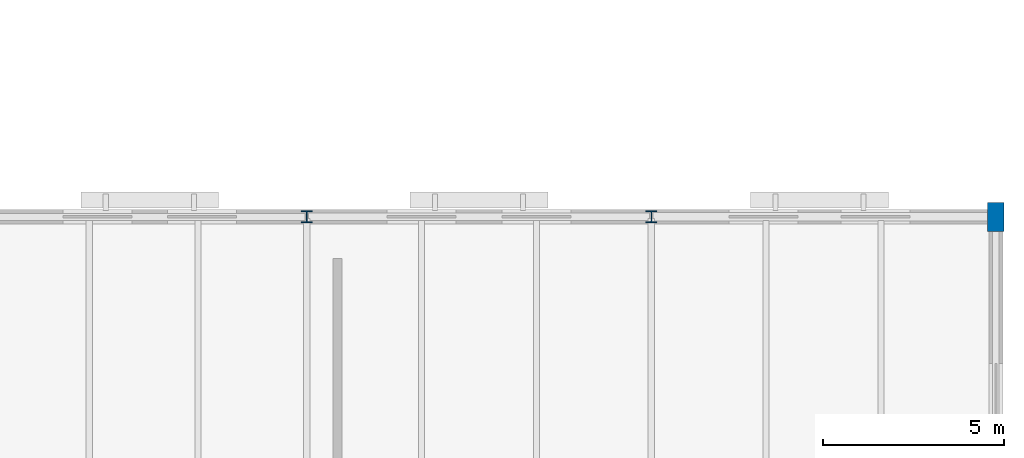
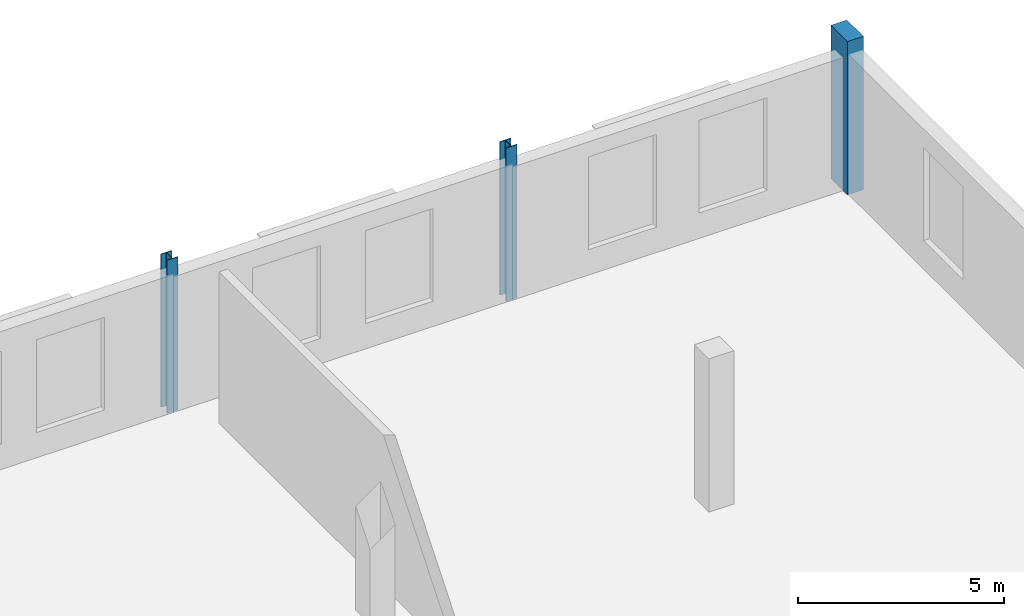
# One storey, part 20 of 93: 3 columns.
"""IFC4 building model written with IfcOpenShell, lengths in metres."""

import ifcopenshell
import ifcopenshell.guid

model = None  # the IFC model being written
_history = None  # IfcOwnerHistory: only IFC2X3 demands one
_inside = {}  # id of a spatial element -> (the spatial element, [elements in it])
_under = {}  # id of a project, library or spatial element -> (it, [spatial elements below it])
_declared = {}  # id of a project -> (the project, [libraries it declares])
_typed = {}  # id of a type object -> (the type object, [elements of that type])
_made_of = {}  # id of a material, layer set ... -> (it, [elements and type objects made of it])


def new_model(schema):
    """Start an empty IFC model of exactly this schema.

    Asked for "IFC4X3", IfcOpenShell would pick the latest addendum, in which some entities
    have other attributes; the version numbers below select the first issue.
    IFC2X3 requires an IfcOwnerHistory on every rooted entity: one is made here for all.
    """
    global model, _history
    if schema == "IFC4X3":
        model = ifcopenshell.file(schema_version=(4, 3, 0, 0))
    else:
        model = ifcopenshell.file(schema=schema)
    _inside.clear()
    _under.clear()
    _declared.clear()
    _typed.clear()
    _made_of.clear()
    _history = None
    if model.schema == "IFC2X3":
        org = make("IfcOrganization", Name="unknown")
        user = make(
            "IfcPersonAndOrganization",
            ThePerson=make("IfcPerson", FamilyName="unknown"),
            TheOrganization=org,
        )
        app = make(
            "IfcApplication",
            ApplicationDeveloper=org,
            Version="unknown",
            ApplicationFullName="unknown",
            ApplicationIdentifier="unknown",
        )
        _history = make(
            "IfcOwnerHistory",
            OwningUser=user,
            OwningApplication=app,
            ChangeAction="ADDED",
            CreationDate=0,
        )
    return model


def make(cls, **values):
    """One entity of the class cls with the attributes given. An attribute that is None is left unset."""
    return model.create_entity(
        cls, **{name: value for name, value in values.items() if value is not None}
    )


def rooted(cls, **values):
    """An entity with a GlobalId (a new one), such as an element, a storey or a relation."""
    return make(cls, GlobalId=ifcopenshell.guid.new(), OwnerHistory=_history, **values)


def si_unit(unit_type, name, prefix=None):
    """IfcSIUnit, for example si_unit("LENGTHUNIT", "METRE", prefix="MILLI")."""
    return make("IfcSIUnit", UnitType=unit_type, Prefix=prefix, Name=name)


def assignment(units):
    """IfcUnitAssignment: the units of a project."""
    return None if units is None else make("IfcUnitAssignment", Units=units)


def point(xyz):
    """IfcCartesianPoint."""
    return None if xyz is None else make("IfcCartesianPoint", Coordinates=xyz)


def direction(xyz):
    """IfcDirection."""
    return None if xyz is None else make("IfcDirection", DirectionRatios=xyz)


def frame(location, z_axis=None, x_axis=None):
    """IfcAxis2Placement3D, a coordinate frame: its origin and axes. An axis left out is left unset."""
    return make(
        "IfcAxis2Placement3D",
        Location=point(location),
        Axis=direction(z_axis),
        RefDirection=direction(x_axis),
    )


def frame_2d(location, x_axis=None):
    """IfcAxis2Placement2D, a coordinate frame in the plane: its origin and x axis."""
    return make(
        "IfcAxis2Placement2D", Location=point(location), RefDirection=direction(x_axis)
    )


def origin():
    """The frame at (0, 0, 0) with its axes left unset."""
    return frame((0.0, 0.0, 0.0))


def origin_2d():
    """The frame at (0, 0) in the plane with its x axis left unset."""
    return frame_2d((0.0, 0.0))


def place(relative_to, where):
    """IfcLocalPlacement: puts the frame where relative to a parent placement (None: the world)."""
    return make(
        "IfcLocalPlacement", PlacementRelTo=relative_to, RelativePlacement=where
    )


def context(
    kind, dimensions, precision=None, world=None, true_north=None, identifier=None
):
    """IfcGeometricRepresentationContext, for example the 3D "Model" context."""
    return make(
        "IfcGeometricRepresentationContext",
        ContextIdentifier=identifier,
        ContextType=kind,
        CoordinateSpaceDimension=dimensions,
        Precision=precision,
        WorldCoordinateSystem=world,
        TrueNorth=true_north,
    )


def subcontext(parent, identifier, kind, view, scale=None):
    """IfcGeometricRepresentationSubContext, for example "Body" below "Model"."""
    return make(
        "IfcGeometricRepresentationSubContext",
        ContextIdentifier=identifier,
        ContextType=kind,
        ParentContext=parent,
        TargetScale=scale,
        TargetView=view,
    )


def project(units=None, contexts=None):
    """IfcProject with its units and contexts."""
    return rooted(
        "IfcProject",
        Name="project",
        RepresentationContexts=contexts,
        UnitsInContext=assignment(units),
    )


def spatial(cls, under=None, at=None, **own):
    """A site, building, storey or space (cls), placed at a placement, below another one or the project."""
    s = rooted(cls, ObjectPlacement=at, **own)
    if under is not None:
        _under.setdefault(under.id(), (under, []))[1].append(s)
    return s


def profile(cls, at=None, kind="AREA", **sizes):
    """A parametric profile (cls). Its sizes go by their IFC names, for example OverallWidth=200.0."""
    return make(cls, ProfileType=kind, Position=at, **sizes)


def rectangle(**sizes):
    """IfcRectangleProfileDef."""
    return profile("IfcRectangleProfileDef", **sizes)


def i_section(**sizes):
    """IfcIShapeProfileDef."""
    return profile("IfcIShapeProfileDef", **sizes)


def extrude(swept, where, along, depth):
    """IfcExtrudedAreaSolid: the profile swept, set in the frame where, extruded along a direction by depth."""
    return make(
        "IfcExtrudedAreaSolid",
        SweptArea=swept,
        Position=where,
        ExtrudedDirection=direction(along),
        Depth=depth,
    )


def shape(context_of_items, identifier, shape_type, items):
    """IfcShapeRepresentation: the items that make up one representation, for example the "Body"."""
    return make(
        "IfcShapeRepresentation",
        ContextOfItems=context_of_items,
        RepresentationIdentifier=identifier,
        RepresentationType=shape_type,
        Items=items,
    )


def material(Name=None, Category=None):
    """IfcMaterial."""
    return make("IfcMaterial", Name=Name, Category=Category)


def material_profile(
    of_material, cross_section, Name=None, Category=None, Priority=None
):
    """IfcMaterialProfile: a cross section and its material."""
    return make(
        "IfcMaterialProfile",
        Name=Name,
        Material=of_material,
        Profile=cross_section,
        Priority=Priority,
        Category=Category,
    )


def profile_set(profiles, Name=None, composite=None):
    """IfcMaterialProfileSet."""
    return make(
        "IfcMaterialProfileSet",
        Name=Name,
        MaterialProfiles=profiles,
        CompositeProfile=composite,
    )


def made_of(thing, what):
    """Note that an element or type object is made of a material, layer set ...; save() writes the relation."""
    if what is not None:
        _made_of.setdefault(what.id(), (what, []))[1].append(thing)
    return thing


def type_object(cls, material=None, **own):
    """A type object (cls), such as IfcWallType, which elements share."""
    return made_of(rooted(cls, **own), material)


def element(
    cls,
    number,
    at=None,
    inside=None,
    cuts=None,
    type_object=None,
    material=None,
    context=None,
    identifier="Body",
    shape_type=None,
    held_by="IfcProductDefinitionShape",
    body=None,
    shapes=None,
    **own,
):
    """One element of the class cls, such as IfcWall. Its Tag is "e" and its number.

    at: its placement. inside: the storey or other place that contains it. cuts: it is an
    opening in that element (IfcRelVoidsElement). A single representation is given by context,
    identifier, shape_type and body (its items); several are given by shapes. held_by: the class
    of the entity that holds the representations. save() writes the other relations.
    """
    e = rooted(cls, Tag="e%d" % number, ObjectPlacement=at, **own)
    if body is not None:
        shapes = [shape(context, identifier, shape_type, body)]
    if shapes is not None:
        e.Representation = make(held_by, Representations=shapes)
    if inside is not None:
        _inside.setdefault(inside.id(), (inside, []))[1].append(e)
    if cuts is not None:
        rooted(
            "IfcRelVoidsElement", RelatingBuildingElement=cuts, RelatedOpeningElement=e
        )
    if type_object is not None:
        _typed.setdefault(type_object.id(), (type_object, []))[1].append(e)
    return made_of(e, material)


def aggregate(whole, parts):
    """IfcRelAggregates: a whole, such as a stair, and the parts it consists of."""
    return rooted("IfcRelAggregates", RelatingObject=whole, RelatedObjects=parts)


def save(model, path):
    """Write the relations noted so far, then the file.

    IfcRelAggregates (storeys below a building ...), IfcRelContainedInSpatialStructure (elements
    in a storey), IfcRelDefinesByType, IfcRelAssociatesMaterial and IfcRelDeclares: one each for
    every whole, place, type object, material and project.
    """
    for whole, parts in _under.values():
        aggregate(whole, parts)
    for where, things in _inside.values():
        rooted(
            "IfcRelContainedInSpatialStructure",
            RelatedElements=things,
            RelatingStructure=where,
        )
    for kind, things in _typed.values():
        rooted("IfcRelDefinesByType", RelatedObjects=things, RelatingType=kind)
    for what, things in _made_of.values():
        rooted("IfcRelAssociatesMaterial", RelatedObjects=things, RelatingMaterial=what)
    for by, libraries in _declared.values():
        rooted("IfcRelDeclares", RelatingContext=by, RelatedDefinitions=libraries)
    model.write(path)


model = new_model("IFC4")

# Units and contexts
model_context = context("Model", 3, precision=1e-05, world=origin(), true_north=direction((0.0, 1.0)))
body_context = subcontext(model_context, "Body", "Model", "MODEL_VIEW")
ifc_project = project(units=[si_unit("LENGTHUNIT", "METRE"), si_unit("AREAUNIT", "SQUARE_METRE"), si_unit("VOLUMEUNIT", "CUBIC_METRE"), si_unit("PLANEANGLEUNIT", "RADIAN"), si_unit("MASSUNIT", "GRAM", prefix="KILO")], contexts=[model_context])

# Site, building, storey
site_placement = place(None, origin())
site = spatial("IfcSite", under=ifc_project, at=site_placement, CompositionType="ELEMENT")
building_placement = place(site_placement, origin())
building = spatial("IfcBuilding", under=site, at=building_placement, Name="Marnock Terrace Opera House", CompositionType="ELEMENT")
storey_placement = place(building_placement, frame((0.0, 0.0, 5.39990234375)))
storey = spatial("IfcBuildingStorey", under=building, at=storey_placement, Name="L01", CompositionType="ELEMENT", Elevation=5.39990234375)

# Columns
ifc_material_1 = material(Name="Concrete N40 (f'c = 40 MPa)", Category="concrete")
ifc_material_profile_1 = material_profile(ifc_material_1, rectangle(XDim=0.449951171875, YDim=0.800048828125, at=origin_2d()))
ifc_profile_set_1 = profile_set([ifc_material_profile_1], Name="Concrete N40 (f'c = 40 MPa)")
column_type_1 = type_object("IfcColumnType", Name="COL-PIL-800", PredefinedType="PILASTER", material=ifc_profile_set_1)
column_placement = place(storey_placement, frame((164.0, 104.0, 0.0), z_axis=(0.0, 0.0, 1.0), x_axis=(1.0, 0.0, 0.0)))
element("IfcColumn", 1, at=column_placement, inside=storey, type_object=column_type_1, Name="L01 column at (164.0, 104.0)", PredefinedType="PILASTER", context=body_context, shape_type="SweptSolid", body=[
    extrude(rectangle(XDim=0.449951171875, YDim=0.800048828125, at=origin_2d()), origin(), (0.0, 0.0, 1.0), 4.5400390625),
])
ifc_material_2 = material(Name="Steel Grade 350 (AS/NZS 3679.1)", Category="steel")
ifc_material_profile_2 = material_profile(ifc_material_2, i_section(OverallWidth=0.30908203125, OverallDepth=0.320556640625, WebThickness=0.013916015625, FlangeThickness=0.021728515625, FilletRadius=0.0166015625, at=origin_2d()))
ifc_profile_set_2 = profile_set([ifc_material_profile_2], Name="Steel Grade 350 (AS/NZS 3679.1)")
column_type_2 = type_object("IfcColumnType", Name="COL-UC310B", PredefinedType="COLUMN", material=ifc_profile_set_2)
for number, where, z_axis, x_axis, name in (
    (2, (145.0, 104.0, 0.0), (0.0, 0.0, 1.0), (1.0, 0.0, 0.0), "L01 column at (145.0, 104.0)"),
    (3, (154.5, 104.0, 0.0), (0.0, 0.0, 1.0), (1.0, 0.0, 0.0), "L01 column at (154.5, 104.0)"),
):
    element("IfcColumn", number, at=place(storey_placement, frame(where, z_axis=z_axis, x_axis=x_axis)), inside=storey, type_object=column_type_2, Name=name, PredefinedType="COLUMN", context=body_context, shape_type="SweptSolid", body=[
        extrude(i_section(OverallWidth=0.30908203125, OverallDepth=0.320556640625, WebThickness=0.013916015625, FlangeThickness=0.021728515625, FilletRadius=0.0166015625, at=origin_2d()), origin(), (0.0, 0.0, 1.0), 4.5400390625),
    ])

save(model, "model.ifc")
